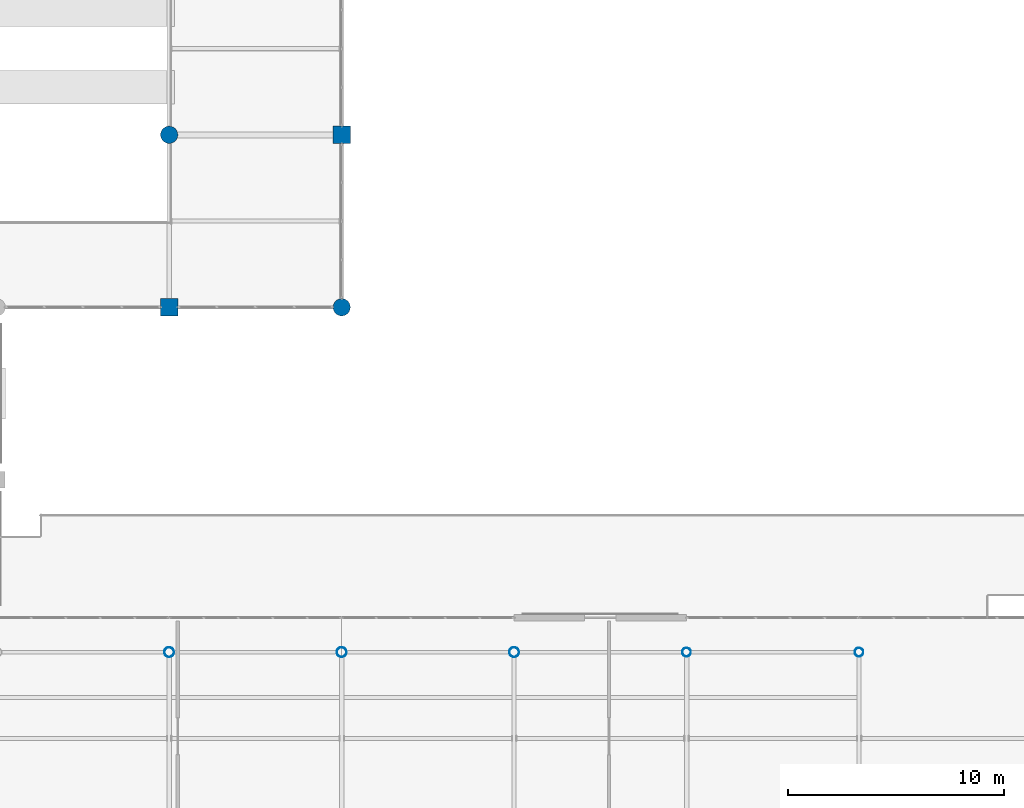
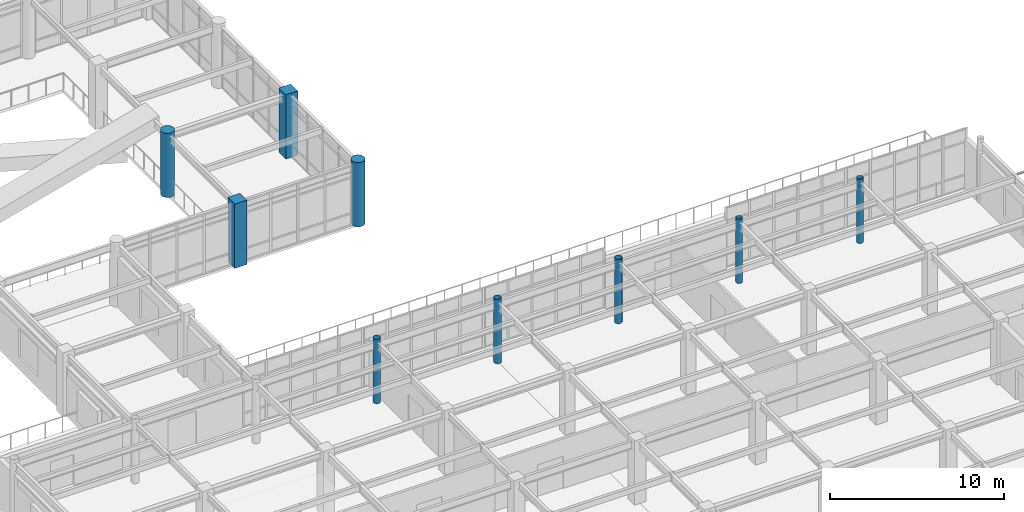
# One storey, part 6 of 93: 9 columns.
"""IFC4 building model written with IfcOpenShell, lengths in metres."""

from ifc_helpers import new_model, si_unit, direction, frame, origin, origin_2d, place, context, subcontext, project, spatial, rectangle, circle, hollow_circle, extrude, material, material_profile, profile_set, type_object, element, save


model = new_model("IFC4")

# Units and contexts
model_context = context("Model", 3, precision=1e-05, world=origin(), true_north=direction((0.0, 1.0)))
body_context = subcontext(model_context, "Body", "Model", "MODEL_VIEW")
ifc_project = project(units=[si_unit("LENGTHUNIT", "METRE"), si_unit("AREAUNIT", "SQUARE_METRE"), si_unit("VOLUMEUNIT", "CUBIC_METRE"), si_unit("PLANEANGLEUNIT", "RADIAN"), si_unit("MASSUNIT", "GRAM", prefix="KILO")], contexts=[model_context])

# Site, building, storey
site_placement = place(None, origin())
site = spatial("IfcSite", under=ifc_project, at=site_placement, CompositionType="ELEMENT")
building_placement = place(site_placement, origin())
building = spatial("IfcBuilding", under=site, at=building_placement, Name="Solmirada Galleria", CompositionType="ELEMENT")
storey_placement = place(building_placement, frame((0.0, 0.0, 14.89990234375)))
storey = spatial("IfcBuildingStorey", under=building, at=storey_placement, Name="L03", CompositionType="ELEMENT", Elevation=14.89990234375)

# Columns
ifc_material_1 = material(Name="Steel S355 / ASTM A500 Grade C", Category="steel")
ifc_material_profile_1 = material_profile(ifc_material_1, hollow_circle(Radius=0.202880859375, WallThickness=0.01171875, at=origin_2d()), Name="HSS16.000X0.500")
ifc_profile_set_1 = profile_set([ifc_material_profile_1], Name="Steel S355 / ASTM A500 Grade C")
column_type_1 = type_object("IfcColumnType", Name="COL-CHS16", PredefinedType="COLUMN", material=ifc_profile_set_1)
for number, where, z_axis, x_axis, name in (
    (1, (128.0, 32.0, 0.0), (0.0, 0.0, 1.0), (1.0, 0.0, 0.0), "Structural column L03-1038"),
    (2, (136.0, 32.0, 0.0), (0.0, 0.0, 1.0), (1.0, 0.0, 0.0), "Structural column L03-1139"),
):
    element("IfcColumn", number, at=place(storey_placement, frame(where, z_axis=z_axis, x_axis=x_axis)), inside=storey, type_object=column_type_1, Name=name, PredefinedType="COLUMN", context=body_context, shape_type="SweptSolid", body=[
        extrude(hollow_circle(Radius=0.202880859375, WallThickness=0.01171875, at=origin_2d()), origin(), (0.0, 0.0, 1.0), 4.5),
    ])
ifc_material_profile_2 = material_profile(ifc_material_1, hollow_circle(Radius=0.228515625, WallThickness=0.01171875, at=origin_2d()), Name="HSS18.000X0.500")
ifc_profile_set_2 = profile_set([ifc_material_profile_2], Name="Steel S355 / ASTM A500 Grade C")
column_type_2 = type_object("IfcColumnType", Name="COL-CHS18", PredefinedType="COLUMN", material=ifc_profile_set_2)
for number, where, z_axis, x_axis, name in (
    (3, (104.0, 32.0, 0.0), (0.0, 0.0, 1.0), (1.0, 0.0, 0.0), "Structural column L03-0727"),
    (4, (112.0, 32.0, 0.0), (0.0, 0.0, 1.0), (1.0, 0.0, 0.0), "Structural column L03-0838"),
    (5, (120.0, 32.0, 0.0), (0.0, 0.0, 1.0), (1.0, 0.0, 0.0), "Structural column L03-0955"),
):
    element("IfcColumn", number, at=place(storey_placement, frame(where, z_axis=z_axis, x_axis=x_axis)), inside=storey, type_object=column_type_2, Name=name, PredefinedType="COLUMN", context=body_context, shape_type="SweptSolid", body=[
        extrude(hollow_circle(Radius=0.228515625, WallThickness=0.01171875, at=origin_2d()), origin(), (0.0, 0.0, 1.0), 4.5),
    ])
ifc_material_2 = material(Name="Concrete C40/50", Category="concrete")
ifc_material_profile_3 = material_profile(ifc_material_2, circle(Radius=0.39990234375, at=origin_2d()), Name="RCCOL800")
ifc_profile_set_3 = profile_set([ifc_material_profile_3], Name="Concrete C40/50")
column_type_3 = type_object("IfcColumnType", Name="COL-CIR800", PredefinedType="COLUMN", material=ifc_profile_set_3)
for number, where, z_axis, x_axis, name in (
    (6, (104.0, 56.0, 0.0), (0.0, 0.0, 1.0), (1.0, 0.0, 0.0), "Structural column L03-0746"),
    (7, (112.0, 48.0, 0.0), (0.0, 0.0, 1.0), (1.0, 0.0, 0.0), "Structural column L03-0849"),
):
    element("IfcColumn", number, at=place(storey_placement, frame(where, z_axis=z_axis, x_axis=x_axis)), inside=storey, type_object=column_type_3, Name=name, PredefinedType="COLUMN", context=body_context, shape_type="SweptSolid", body=[
        extrude(circle(Radius=0.39990234375, at=origin_2d()), origin(), (0.0, 0.0, 1.0), 4.5),
    ])
ifc_material_profile_4 = material_profile(ifc_material_2, rectangle(XDim=0.800048828125, YDim=0.800048828125, at=origin_2d()), Name="RC800X800")
ifc_profile_set_4 = profile_set([ifc_material_profile_4], Name="Concrete C40/50")
column_type_4 = type_object("IfcColumnType", Name="COL-RC800", PredefinedType="COLUMN", material=ifc_profile_set_4)
for number, where, z_axis, x_axis, name in (
    (8, (104.0, 48.0, 0.0), (0.0, 0.0, 1.0), (1.0, 0.0, 0.0), "Structural column L03-0737"),
    (9, (112.0, 56.0, 0.0), (0.0, 0.0, 1.0), (1.0, 0.0, 0.0), "Structural column L03-0858"),
):
    element("IfcColumn", number, at=place(storey_placement, frame(where, z_axis=z_axis, x_axis=x_axis)), inside=storey, type_object=column_type_4, Name=name, PredefinedType="COLUMN", context=body_context, shape_type="SweptSolid", body=[
        extrude(rectangle(XDim=0.800048828125, YDim=0.800048828125, at=origin_2d()), origin(), (0.0, 0.0, 1.0), 4.5),
    ])

save(model, "model.ifc")
